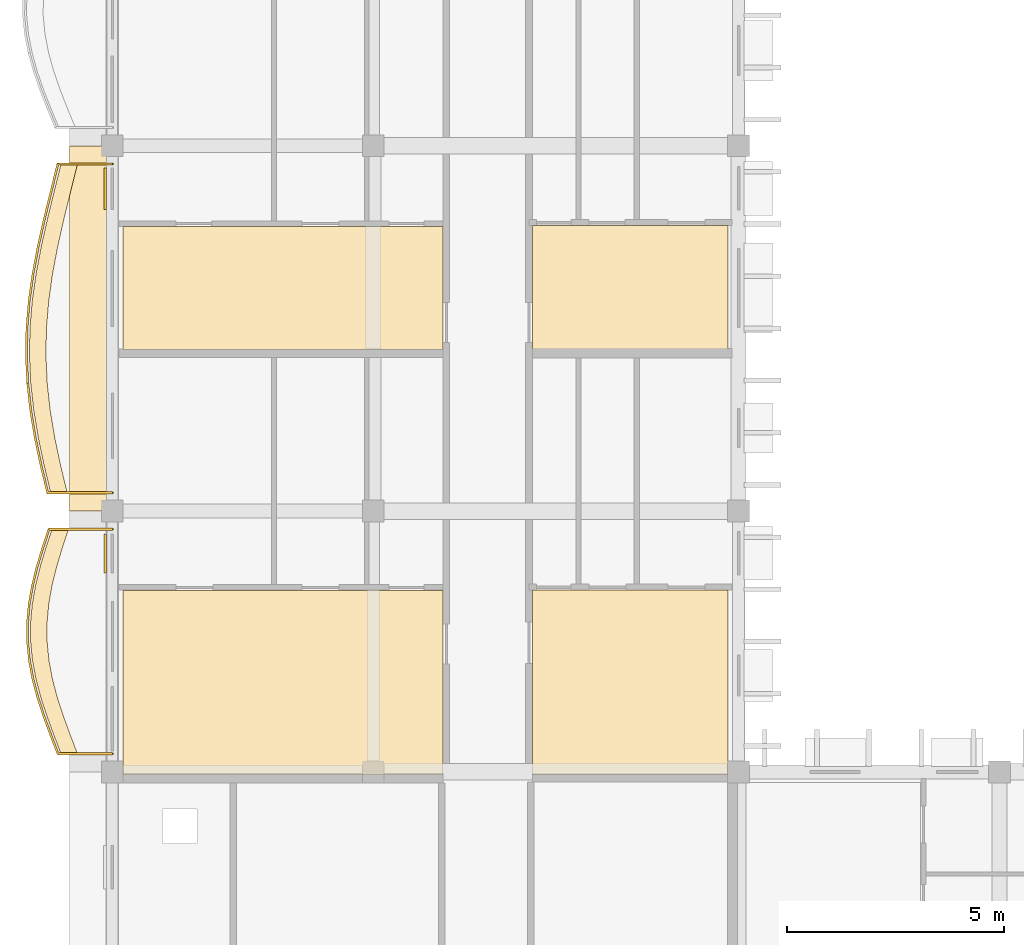
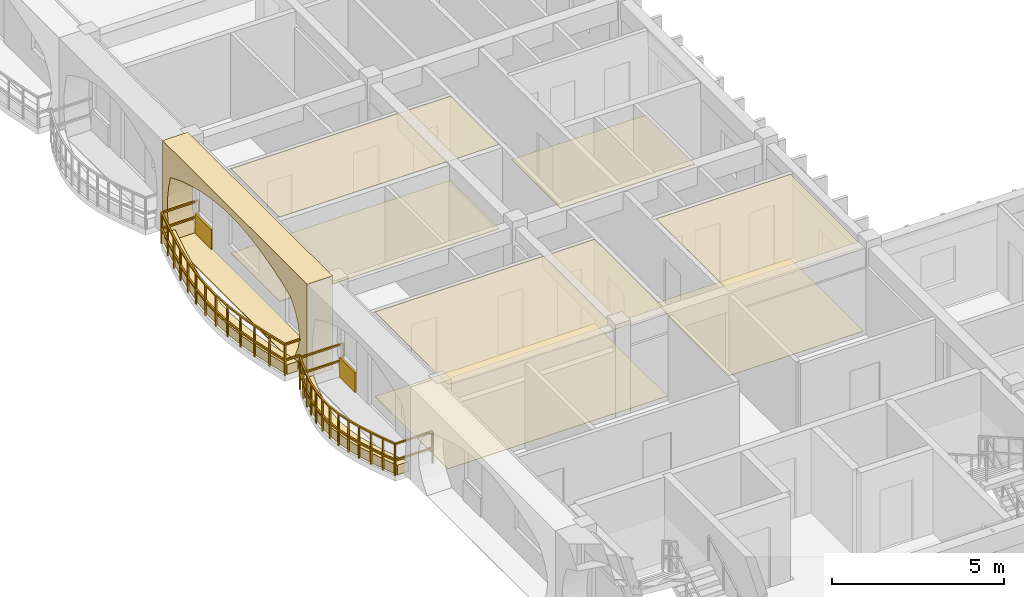
# One storey, part 41 of 66: 12 coverings, 2 railings.
"""IFC4 building model written with IfcOpenShell, lengths in metres."""

from ifc_helpers import new_model, si_unit, direction, frame, origin, origin_2d, place, context, subcontext, project, spatial, polyline, rectangle, outline, extrude, material, layer, layer_set, type_object, element, save


model = new_model("IFC4")

# Units and contexts
model_context = context("Model", 3, precision=1e-05, world=origin(), true_north=direction((0.0, 1.0)))
body_context = subcontext(model_context, "Body", "Model", "MODEL_VIEW")
ifc_project = project(units=[si_unit("LENGTHUNIT", "METRE"), si_unit("AREAUNIT", "SQUARE_METRE"), si_unit("VOLUMEUNIT", "CUBIC_METRE"), si_unit("PLANEANGLEUNIT", "RADIAN"), si_unit("MASSUNIT", "GRAM", prefix="KILO"), si_unit("THERMODYNAMICTEMPERATUREUNIT", "KELVIN")], contexts=[model_context])

# Site, building, storey
site_placement = place(None, origin())
site = spatial("IfcSite", under=ifc_project, at=site_placement, CompositionType="ELEMENT")
building_placement = place(site_placement, origin())
building = spatial("IfcBuilding", under=site, at=building_placement, Name="Thalorik Housing Commons", CompositionType="ELEMENT")
storey_placement = place(building_placement, frame((0.0, 0.0, 21.300048828125)))
storey = spatial("IfcBuildingStorey", under=building, at=storey_placement, Name="L06", CompositionType="ELEMENT", Elevation=21.300048828125)

# Coverings
ifc_material_1 = material(Name="Cobalt blue glazed ceramic facade tile panel", Category="masonry")
ifc_layer_1 = layer(ifc_material_1, 0.06005859375, Name="Cobalt blue glazed ceramic facade tile panel", Category="masonry")
ifc_layer_set_1 = layer_set([ifc_layer_1], Name="Cobalt blue glazed ceramic facade tile panel")
covering_type_1 = type_object("IfcCoveringType", Name="ARC-CLD-BLU-60", PredefinedType="CLADDING", material=ifc_layer_set_1)
covering_1_placement = place(storey_placement, frame((8.235107421875, 27.827392578125, 0.0498046875), z_axis=(0.0, 0.0, 1.0), x_axis=(0.0, -1.0, 0.0)))
element("IfcCovering", 1, at=covering_1_placement, inside=storey, type_object=covering_type_1, Name="L06 De Stijl Recessed Window Spandrel 4084", PredefinedType="CLADDING", context=body_context, shape_type="SweptSolid", body=[
    extrude(rectangle(XDim=0.89990234375, YDim=0.06005859375, at=origin_2d()), origin(), (0.0, 0.0, 1.0), 0.699951171875),
])
ifc_material_2 = material(Name="Precast concrete C40/50", Category="concrete")
ifc_layer_2 = layer(ifc_material_2, 0.85009765625, Name="Precast concrete C40/50", Category="concrete")
ifc_layer_set_2 = layer_set([ifc_layer_2], Name="Precast concrete C40/50")
covering_type_2 = type_object("IfcCoveringType", Name="ARC-CLD-CUSH-850", PredefinedType="CLADDING", material=ifc_layer_set_2)
covering_2_placement = place(storey_placement, frame((7.844970703125, 33.0, 0.0), z_axis=(0.0, 0.0, 1.0), x_axis=(0.0, -1.0, 0.0)))
element("IfcCovering", 2, at=covering_2_placement, inside=storey, type_object=covering_type_2, Name="L06 White Precast Curved Cushion Bay Frame 4081", PredefinedType="CLADDING", context=body_context, shape_type="SweptSolid", body=[
    extrude(outline(polyline([(-4.199951171875, 0.0), (4.199951171875, 0.0), (4.199951171875, 3.300048828125), (-4.199951171875, 3.300048828125), (-4.199951171875, 0.0)]), holes=[polyline([(3.239990234375, 0.02490234375), (3.523193359375, 0.399169921875), (3.693359375, 0.773193359375), (3.75, 1.1474609375), (3.693359375, 1.521728515625), (3.523193359375, 1.895751953125), (3.239990234375, 2.27001953125), (2.65869140625, 2.50439453125), (2.077392578125, 2.6884765625), (1.496337890625, 2.837646484375), (0.9150390625, 2.948486328125), (0.333740234375, 3.016845703125), (-0.24755859375, 3.0400390625), (-0.82861328125, 3.016845703125), (-1.409912109375, 2.948486328125), (-1.9912109375, 2.837646484375), (-2.572509765625, 2.6884765625), (-3.15380859375, 2.50439453125), (-3.735107421875, 2.27001953125), (-3.833251953125, 1.895751953125), (-3.89208984375, 1.521728515625), (-3.91162109375, 1.1474609375), (-3.89208984375, 0.773193359375), (-3.833251953125, 0.399169921875), (-3.735107421875, 0.02490234375), (3.239990234375, 0.02490234375)])]), frame((0.0, 0.425048828125, 0.0), z_axis=(0.0, -1.0, 0.0), x_axis=(1.0, 0.0, 0.0)), (0.0, 0.0, 1.0), 0.85009765625),
])
ifc_material_3 = material(Name="Terracotta red mineral fibre-cement panel", Category="masonry")
ifc_layer_3 = layer(ifc_material_3, 0.054931640625, Name="Terracotta red mineral fibre-cement panel", Category="masonry")
ifc_layer_set_3 = layer_set([ifc_layer_3], Name="Terracotta red mineral fibre-cement panel")
covering_type_3 = type_object("IfcCoveringType", Name="ARC-CLD-RED-55", PredefinedType="CLADDING", material=ifc_layer_set_3)
covering_3_placement = place(storey_placement, frame((8.237548828125, 36.2099609375, 0.0498046875), z_axis=(0.0, 0.0, 1.0), x_axis=(0.0, -1.0, 0.0)))
element("IfcCovering", 3, at=covering_3_placement, inside=storey, type_object=covering_type_3, Name="L06 De Stijl Recessed Window Spandrel 4082", PredefinedType="CLADDING", context=body_context, shape_type="SweptSolid", body=[
    extrude(rectangle(XDim=0.949951171875, YDim=0.054931640625, at=origin_2d()), origin(), (0.0, 0.0, 1.0), 0.699951171875),
])
ifc_material_4 = material(Name="Perforated acoustic gypsum ceiling board")
ifc_layer_4 = layer(ifc_material_4, 0.014892578125, Name="Perforated acoustic gypsum ceiling board")
ifc_layer_set_4 = layer_set([ifc_layer_4], Name="Perforated acoustic gypsum ceiling board")
covering_type_4 = type_object("IfcCoveringType", Name="ARC-COV-CEIL-01", PredefinedType="CEILING", material=ifc_layer_set_4)
covering_4_placement = place(storey_placement, frame((0.0, 0.0, 2.98486328125)))
element("IfcCovering", 4, at=covering_4_placement, inside=storey, type_object=covering_type_4, Name="L06 Living Dining Room Suspended Ceiling", PredefinedType="CEILING", context=body_context, shape_type="SweptSolid", body=[
    extrude(outline(polyline([(16.0, 26.97509765625), (8.639892578125, 26.97509765625), (8.639892578125, 22.739990234375), (16.0, 22.739990234375), (16.0, 26.97509765625)])), origin(), (0.0, 0.0, 1.0), 0.01513671875),
])
ifc_material_5 = material(Name="Mineral fibre acoustic ceiling tile")
ifc_layer_5 = layer(ifc_material_5, 0.01806640625, Name="Mineral fibre acoustic ceiling tile")
ifc_layer_set_5 = layer_set([ifc_layer_5], Name="Mineral fibre acoustic ceiling tile")
covering_type_5 = type_object("IfcCoveringType", Name="ARC-COV-CEIL-02", PredefinedType="CEILING", material=ifc_layer_set_5)
covering_5_placement = place(storey_placement, frame((0.0, 0.0, 2.98193359375)))
element("IfcCovering", 5, at=covering_5_placement, inside=storey, type_object=covering_type_5, Name="L06 Living Dining Room Suspended Ceiling", PredefinedType="CEILING", context=body_context, shape_type="SweptSolid", body=[
    extrude(outline(polyline([(22.56005859375, 26.9794921875), (18.06005859375, 26.9794921875), (18.06005859375, 22.739990234375), (22.56005859375, 22.739990234375), (22.56005859375, 26.9794921875)])), origin(), (0.0, 0.0, 1.0), 0.01806640625),
])
ifc_material_6 = material(Name="Slatted timber acoustic hall baffle ceiling", Category="wood")
ifc_layer_6 = layer(ifc_material_6, 0.02197265625, Name="Slatted timber acoustic hall baffle ceiling", Category="wood")
ifc_layer_set_6 = layer_set([ifc_layer_6], Name="Slatted timber acoustic hall baffle ceiling")
covering_type_6 = type_object("IfcCoveringType", Name="ARC-COV-CEIL-03", PredefinedType="CEILING", material=ifc_layer_set_6)
covering_6_placement = place(storey_placement, frame((0.0, 0.0, 2.97802734375)))
element("IfcCovering", 6, at=covering_6_placement, inside=storey, type_object=covering_type_6, Name="L06 Family Lounge Suspended Ceiling", PredefinedType="CEILING", context=body_context, shape_type="SweptSolid", body=[
    extrude(outline(polyline([(16.0, 35.340087890625), (8.639892578125, 35.340087890625), (8.639892578125, 32.510009765625), (16.0, 32.510009765625), (16.0, 35.340087890625)])), origin(), (0.0, 0.0, 1.0), 0.02197265625),
])
ifc_material_7 = material(Name="Glazed Recife ceramic apartment floor tile")
ifc_layer_7 = layer(ifc_material_7, 0.011962890625, Name="Glazed Recife ceramic apartment floor tile")
ifc_layer_set_7 = layer_set([ifc_layer_7], Name="Glazed Recife ceramic apartment floor tile")
covering_type_7 = type_object("IfcCoveringType", Name="ARC-COV-FLR-01", PredefinedType="FLOORING", material=ifc_layer_set_7)
covering_7_placement = place(storey_placement, origin())
element("IfcCovering", 7, at=covering_7_placement, inside=storey, type_object=covering_type_7, Name="L06 Living Dining Room Flooring", PredefinedType="FLOORING", context=body_context, shape_type="SweptSolid", body=[
    extrude(outline(polyline([(16.0, 26.97509765625), (8.639892578125, 26.97509765625), (8.639892578125, 22.739990234375), (16.0, 22.739990234375), (16.0, 26.97509765625)])), origin(), (0.0, 0.0, 1.0), 0.011962890625),
])
ifc_material_8 = material(Name="Slip-resistant quarry terracotta corridor tile", Category="masonry")
ifc_layer_8 = layer(ifc_material_8, 0.01611328125, Name="Slip-resistant quarry terracotta corridor tile", Category="masonry")
ifc_layer_set_8 = layer_set([ifc_layer_8], Name="Slip-resistant quarry terracotta corridor tile")
covering_type_8 = type_object("IfcCoveringType", Name="ARC-COV-FLR-02", PredefinedType="FLOORING", material=ifc_layer_set_8)
covering_8_placement = place(storey_placement, origin())
element("IfcCovering", 8, at=covering_8_placement, inside=storey, type_object=covering_type_8, Name="L06 Living Dining Room Flooring", PredefinedType="FLOORING", context=body_context, shape_type="SweptSolid", body=[
    extrude(outline(polyline([(22.56005859375, 26.9794921875), (18.06005859375, 26.9794921875), (18.06005859375, 22.739990234375), (22.56005859375, 22.739990234375), (22.56005859375, 26.9794921875)])), origin(), (0.0, 0.0, 1.0), 0.015869140625),
])
ifc_material_9 = material(Name="Cushioned natural linoleum nursery playroom flooring")
ifc_layer_9 = layer(ifc_material_9, 0.02001953125, Name="Cushioned natural linoleum nursery playroom flooring")
ifc_layer_set_9 = layer_set([ifc_layer_9], Name="Cushioned natural linoleum nursery playroom flooring")
covering_type_9 = type_object("IfcCoveringType", Name="ARC-COV-FLR-03", PredefinedType="FLOORING", material=ifc_layer_set_9)
covering_9_placement = place(storey_placement, origin())
element("IfcCovering", 9, at=covering_9_placement, inside=storey, type_object=covering_type_9, Name="L06 Family Lounge Flooring", PredefinedType="FLOORING", context=body_context, shape_type="SweptSolid", body=[
    extrude(outline(polyline([(16.0, 35.340087890625), (8.639892578125, 35.340087890625), (8.639892578125, 32.510009765625), (16.0, 32.510009765625), (16.0, 35.340087890625)])), origin(), (0.0, 0.0, 1.0), 0.02001953125),
])
ifc_material_10 = material(Name="Sprung Brazilian oak assembly hall timber floor", Category="wood")
ifc_layer_10 = layer(ifc_material_10, 0.02392578125, Name="Sprung Brazilian oak assembly hall timber floor", Category="wood")
ifc_layer_set_10 = layer_set([ifc_layer_10], Name="Sprung Brazilian oak assembly hall timber floor")
covering_type_10 = type_object("IfcCoveringType", Name="ARC-COV-FLR-04", PredefinedType="FLOORING", material=ifc_layer_set_10)
covering_10_placement = place(storey_placement, origin())
element("IfcCovering", 10, at=covering_10_placement, inside=storey, type_object=covering_type_10, Name="L06 Sunlit Wintergarden Lounge Flooring", PredefinedType="FLOORING", context=body_context, shape_type="SweptSolid", body=[
    extrude(outline(polyline([(22.56005859375, 35.36083984375), (18.06005859375, 35.36083984375), (18.06005859375, 32.510009765625), (22.56005859375, 32.510009765625), (22.56005859375, 35.36083984375)])), origin(), (0.0, 0.0, 1.0), 0.02392578125),
])
ifc_material_11 = material(Name="Planted vegetated substrate and terracotta trough", Category="masonry")
ifc_layer_11 = layer(ifc_material_11, 0.340087890625, Name="Planted vegetated substrate and terracotta trough", Category="masonry")
ifc_layer_set_11 = layer_set([ifc_layer_11], Name="Planted vegetated substrate and terracotta trough")
covering_type_11 = type_object("IfcCoveringType", Name="ARC-COV-PLANTER", PredefinedType="USERDEFINED", material=ifc_layer_set_11)
covering_11_placement = place(storey_placement, origin())
element("IfcCovering", 11, at=covering_11_placement, inside=storey, type_object=covering_type_11, Name="L06 Balcony Slab-Edge Planted Trough 5607", ObjectType="PLANTER", PredefinedType="USERDEFINED", context=body_context, shape_type="SweptSolid", body=[
    extrude(outline(polyline([(7.010498046875, 28.3798828125), (6.8681640625, 27.949951171875), (6.739013671875, 27.52001953125), (6.633056640625, 27.090087890625), (6.5576171875, 26.659912109375), (6.518798828125, 26.22998046875), (6.519775390625, 25.800048828125), (6.5615234375, 25.3701171875), (6.641845703125, 24.93994140625), (6.755615234375, 24.510009765625), (6.89599609375, 24.080078125), (7.053466796875, 23.64990234375), (7.218017578125, 23.219970703125), (7.597900390625, 23.219970703125), (7.43359375, 23.64990234375), (7.27587890625, 24.080078125), (7.135498046875, 24.510009765625), (7.021728515625, 24.93994140625), (6.941650390625, 25.3701171875), (6.89990234375, 25.800048828125), (6.898681640625, 26.22998046875), (6.9375, 26.659912109375), (7.012939453125, 27.090087890625), (7.119140625, 27.52001953125), (7.248046875, 27.949951171875), (7.390380859375, 28.3798828125), (7.010498046875, 28.3798828125)])), origin(), (0.0, 0.0, 1.0), 0.33984375),
])
covering_12_placement = place(storey_placement, origin())
element("IfcCovering", 12, at=covering_12_placement, inside=storey, type_object=covering_type_11, Name="L06 Balcony Slab-Edge Planted Trough 5608", ObjectType="PLANTER", PredefinedType="USERDEFINED", context=body_context, shape_type="SweptSolid", body=[
    extrude(outline(polyline([(7.21728515625, 36.780029296875), (7.061279296875, 36.14990234375), (6.9072265625, 35.52001953125), (6.765380859375, 34.889892578125), (6.64599609375, 34.260009765625), (6.556884765625, 33.6298828125), (6.50439453125, 33.0), (6.492919921875, 32.3701171875), (6.522705078125, 31.739990234375), (6.59228515625, 31.110107421875), (6.697021484375, 30.47998046875), (6.829833984375, 29.85009765625), (6.982177734375, 29.219970703125), (7.3623046875, 29.219970703125), (7.2099609375, 29.85009765625), (7.076904296875, 30.47998046875), (6.97216796875, 31.110107421875), (6.902587890625, 31.739990234375), (6.872802734375, 32.3701171875), (6.884521484375, 33.0), (6.936767578125, 33.6298828125), (7.02587890625, 34.260009765625), (7.1455078125, 34.889892578125), (7.287109375, 35.52001953125), (7.44140625, 36.14990234375), (7.597412109375, 36.780029296875), (7.21728515625, 36.780029296875)])), origin(), (0.0, 0.0, 1.0), 0.33984375),
])

# Railings
ifc_material_12 = material(Name="Steel S355", Category="steel")
railing_type_1 = type_object("IfcRailingType", Name="ARC-RL-BAL-112", PredefinedType="BALUSTRADE", material=ifc_material_12)
railing_1_placement = place(storey_placement, frame((8.39990234375, 36.780029296875, 0.0)))
element("IfcRailing", 13, at=railing_1_placement, inside=storey, type_object=railing_type_1, Name="L06 Cushion Balcony Guardrail 292", PredefinedType="BALUSTRADE", context=body_context, shape_type="SweptSolid", body=[
    extrude(rectangle(XDim=0.050048828125, YDim=0.050048828125, at=origin_2d()), frame((0.0, 0.0, 1.09521484375), z_axis=(-1.0, 0.0, 0.0), x_axis=(0.0, -1.0, 0.0)), (0.0, 0.0, 1.0), 1.25244140625),
    extrude(rectangle(XDim=0.050048828125, YDim=0.050048828125, at=origin_2d()), frame((0.0, 0.0, 0.53515625), z_axis=(-1.0, 0.0, 0.0), x_axis=(0.0, -1.0, 0.0)), (0.0, 0.0, 1.0), 1.25244140625),
    extrude(rectangle(XDim=0.050048828125, YDim=0.050048828125, at=origin_2d()), frame((-1.25244140625, 0.0, 1.09521484375), z_axis=(-0.240677012047, -0.970605262644, 0.0), x_axis=(0.970605262644, -0.240677012047, 0.0)), (0.0, 0.0, 1.0), 0.649169921875),
    extrude(rectangle(XDim=0.050048828125, YDim=0.050048828125, at=origin_2d()), frame((-1.25244140625, 0.0, 0.53515625), z_axis=(-0.240677012047, -0.970605262644, 0.0), x_axis=(0.970605262644, -0.240677012047, 0.0)), (0.0, 0.0, 1.0), 0.649169921875),
    extrude(rectangle(XDim=0.050048828125, YDim=0.050048828125, at=origin_2d()), frame((-1.40869140625, -0.630126953125, 1.09521484375), z_axis=(-0.23757151253, -0.971370051234, 0.0), x_axis=(0.971370051234, -0.23757151253, 0.0)), (0.0, 0.0, 1.0), 0.6484375),
    extrude(rectangle(XDim=0.050048828125, YDim=0.050048828125, at=origin_2d()), frame((-1.40869140625, -0.630126953125, 0.53515625), z_axis=(-0.23757151253, -0.971370051234, 0.0), x_axis=(0.971370051234, -0.23757151253, 0.0)), (0.0, 0.0, 1.0), 0.6484375),
    extrude(rectangle(XDim=0.050048828125, YDim=0.050048828125, at=origin_2d()), frame((-1.562744140625, -1.260009765625, 1.09521484375), z_axis=(-0.219611132006, -0.975587490028, 0.0), x_axis=(0.975587490028, -0.219611132006, 0.0)), (0.0, 0.0, 1.0), 0.64599609375),
    extrude(rectangle(XDim=0.050048828125, YDim=0.050048828125, at=origin_2d()), frame((-1.562744140625, -1.260009765625, 0.53515625), z_axis=(-0.219611132006, -0.975587490028, 0.0), x_axis=(0.975587490028, -0.219611132006, 0.0)), (0.0, 0.0, 1.0), 0.64599609375),
    extrude(rectangle(XDim=0.050048828125, YDim=0.050048828125, at=origin_2d()), frame((-1.70458984375, -1.89013671875, 1.09521484375), z_axis=(-0.186219568681, -0.982508153778, 0.0), x_axis=(0.982508153778, -0.186219568681, 0.0)), (0.0, 0.0, 1.0), 0.64111328125),
    extrude(rectangle(XDim=0.050048828125, YDim=0.050048828125, at=origin_2d()), frame((-1.70458984375, -1.89013671875, 0.53515625), z_axis=(-0.186219568681, -0.982508153778, 0.0), x_axis=(0.982508153778, -0.186219568681, 0.0)), (0.0, 0.0, 1.0), 0.64111328125),
    extrude(rectangle(XDim=0.050048828125, YDim=0.050048828125, at=origin_2d()), frame((-1.823974609375, -2.52001953125, 1.09521484375), z_axis=(-0.140024803798, -0.990147996171, 0.0), x_axis=(0.990147996171, -0.140024803798, 0.0)), (0.0, 0.0, 1.0), 0.636474609375),
    extrude(rectangle(XDim=0.050048828125, YDim=0.050048828125, at=origin_2d()), frame((-1.823974609375, -2.52001953125, 0.53515625), z_axis=(-0.140024803798, -0.990147996171, 0.0), x_axis=(0.990147996171, -0.140024803798, 0.0)), (0.0, 0.0, 1.0), 0.636474609375),
    extrude(rectangle(XDim=0.050048828125, YDim=0.050048828125, at=origin_2d()), frame((-1.9130859375, -3.150146484375, 1.09521484375), z_axis=(-0.082661867227, -0.996577651619, 0.0), x_axis=(0.996577651619, -0.082661867227, 0.0)), (0.0, 0.0, 1.0), 0.632080078125),
    extrude(rectangle(XDim=0.050048828125, YDim=0.050048828125, at=origin_2d()), frame((-1.9130859375, -3.150146484375, 0.53515625), z_axis=(-0.082661867227, -0.996577651619, 0.0), x_axis=(0.996577651619, -0.082661867227, 0.0)), (0.0, 0.0, 1.0), 0.632080078125),
    extrude(rectangle(XDim=0.050048828125, YDim=0.050048828125, at=origin_2d()), frame((-1.96533203125, -3.780029296875, 1.09521484375), z_axis=(-0.018601432156, -0.999826978393, 0.0), x_axis=(0.999826978393, -0.018601432156, 0.0)), (0.0, 0.0, 1.0), 0.6298828125),
    extrude(rectangle(XDim=0.050048828125, YDim=0.050048828125, at=origin_2d()), frame((-1.96533203125, -3.780029296875, 0.53515625), z_axis=(-0.018601432156, -0.999826978393, 0.0), x_axis=(0.999826978393, -0.018601432156, 0.0)), (0.0, 0.0, 1.0), 0.6298828125),
    extrude(rectangle(XDim=0.050048828125, YDim=0.050048828125, at=origin_2d()), frame((-1.97705078125, -4.409912109375, 1.09521484375), z_axis=(0.047215782637, -0.998884713002, 0.0), x_axis=(0.998884713002, 0.047215782637, 0.0)), (0.0, 0.0, 1.0), 0.630859375),
    extrude(rectangle(XDim=0.050048828125, YDim=0.050048828125, at=origin_2d()), frame((-1.97705078125, -4.409912109375, 0.53515625), z_axis=(0.047215782637, -0.998884713002, 0.0), x_axis=(0.998884713002, 0.047215782637, 0.0)), (0.0, 0.0, 1.0), 0.630859375),
    extrude(rectangle(XDim=0.050048828125, YDim=0.050048828125, at=origin_2d()), frame((-1.947265625, -5.0400390625, 1.09521484375), z_axis=(0.109797244793, -0.993954005493, 0.0), x_axis=(0.993954005493, 0.109797244793, 0.0)), (0.0, 0.0, 1.0), 0.6337890625),
    extrude(rectangle(XDim=0.050048828125, YDim=0.050048828125, at=origin_2d()), frame((-1.947265625, -5.0400390625, 0.53515625), z_axis=(0.109797244793, -0.993954005493, 0.0), x_axis=(0.993954005493, 0.109797244793, 0.0)), (0.0, 0.0, 1.0), 0.6337890625),
    extrude(rectangle(XDim=0.050048828125, YDim=0.050048828125, at=origin_2d()), frame((-1.877685546875, -5.669921875, 1.09521484375), z_axis=(0.163965119264, -0.98646613711, 0.0), x_axis=(0.98646613711, 0.163965119264, 0.0)), (0.0, 0.0, 1.0), 0.638671875),
    extrude(rectangle(XDim=0.050048828125, YDim=0.050048828125, at=origin_2d()), frame((-1.877685546875, -5.669921875, 0.53515625), z_axis=(0.163965119264, -0.98646613711, 0.0), x_axis=(0.98646613711, 0.163965119264, 0.0)), (0.0, 0.0, 1.0), 0.638671875),
    extrude(rectangle(XDim=0.050048828125, YDim=0.050048828125, at=origin_2d()), frame((-1.77294921875, -6.300048828125, 1.09521484375), z_axis=(0.206679363276, -0.978408728904, 0.0), x_axis=(0.978408728904, 0.206679363276, 0.0)), (0.0, 0.0, 1.0), 0.643798828125),
    extrude(rectangle(XDim=0.050048828125, YDim=0.050048828125, at=origin_2d()), frame((-1.77294921875, -6.300048828125, 0.53515625), z_axis=(0.206679363276, -0.978408728904, 0.0), x_axis=(0.978408728904, 0.206679363276, 0.0)), (0.0, 0.0, 1.0), 0.643798828125),
    extrude(rectangle(XDim=0.050048828125, YDim=0.050048828125, at=origin_2d()), frame((-1.639892578125, -6.929931640625, 1.09521484375), z_axis=(0.234640533104, -0.972082208573, 0.0), x_axis=(0.972082208573, 0.234640533104, 0.0)), (0.0, 0.0, 1.0), 0.648193359375),
    extrude(rectangle(XDim=0.050048828125, YDim=0.050048828125, at=origin_2d()), frame((-1.639892578125, -6.929931640625, 0.53515625), z_axis=(0.234640533104, -0.972082208573, 0.0), x_axis=(0.972082208573, 0.234640533104, 0.0)), (0.0, 0.0, 1.0), 0.648193359375),
    extrude(rectangle(XDim=0.050048828125, YDim=0.050048828125, at=origin_2d()), frame((-1.48779296875, -7.56005859375, 1.09521484375), z_axis=(1.0, 0.0, 0.0), x_axis=(0.0, 1.0, 0.0)), (0.0, 0.0, 1.0), 1.48779296875),
    extrude(rectangle(XDim=0.050048828125, YDim=0.050048828125, at=origin_2d()), frame((-1.48779296875, -7.56005859375, 0.53515625), z_axis=(1.0, 0.0, 0.0), x_axis=(0.0, 1.0, 0.0)), (0.0, 0.0, 1.0), 1.48779296875),
    extrude(rectangle(XDim=0.0419921875, YDim=0.0419921875, at=origin_2d()), origin(), (0.0, 0.0, 1.0), 1.070068359375),
    extrude(rectangle(XDim=0.0419921875, YDim=0.0419921875, at=origin_2d()), frame((-1.25244140625, 0.0, 0.0)), (0.0, 0.0, 1.0), 1.070068359375),
    extrude(rectangle(XDim=0.0419921875, YDim=0.0419921875, at=origin_2d()), frame((-1.40869140625, -0.630126953125, 0.0)), (0.0, 0.0, 1.0), 1.070068359375),
    extrude(rectangle(XDim=0.0419921875, YDim=0.0419921875, at=origin_2d()), frame((-1.562744140625, -1.260009765625, 0.0)), (0.0, 0.0, 1.0), 1.070068359375),
    extrude(rectangle(XDim=0.0419921875, YDim=0.0419921875, at=origin_2d()), frame((-1.70458984375, -1.89013671875, 0.0)), (0.0, 0.0, 1.0), 1.070068359375),
    extrude(rectangle(XDim=0.0419921875, YDim=0.0419921875, at=origin_2d()), frame((-1.823974609375, -2.52001953125, 0.0)), (0.0, 0.0, 1.0), 1.070068359375),
    extrude(rectangle(XDim=0.0419921875, YDim=0.0419921875, at=origin_2d()), frame((-1.9130859375, -3.150146484375, 0.0)), (0.0, 0.0, 1.0), 1.070068359375),
    extrude(rectangle(XDim=0.0419921875, YDim=0.0419921875, at=origin_2d()), frame((-1.96533203125, -3.780029296875, 0.0)), (0.0, 0.0, 1.0), 1.070068359375),
    extrude(rectangle(XDim=0.0419921875, YDim=0.0419921875, at=origin_2d()), frame((-1.97705078125, -4.409912109375, 0.0)), (0.0, 0.0, 1.0), 1.070068359375),
    extrude(rectangle(XDim=0.0419921875, YDim=0.0419921875, at=origin_2d()), frame((-1.947265625, -5.0400390625, 0.0)), (0.0, 0.0, 1.0), 1.070068359375),
    extrude(rectangle(XDim=0.0419921875, YDim=0.0419921875, at=origin_2d()), frame((-1.877685546875, -5.669921875, 0.0)), (0.0, 0.0, 1.0), 1.070068359375),
    extrude(rectangle(XDim=0.0419921875, YDim=0.0419921875, at=origin_2d()), frame((-1.77294921875, -6.300048828125, 0.0)), (0.0, 0.0, 1.0), 1.070068359375),
    extrude(rectangle(XDim=0.0419921875, YDim=0.0419921875, at=origin_2d()), frame((-1.639892578125, -6.929931640625, 0.0)), (0.0, 0.0, 1.0), 1.070068359375),
    extrude(rectangle(XDim=0.0419921875, YDim=0.0419921875, at=origin_2d()), frame((-1.48779296875, -7.56005859375, 0.0)), (0.0, 0.0, 1.0), 1.070068359375),
    extrude(rectangle(XDim=0.0419921875, YDim=0.0419921875, at=origin_2d()), frame((0.0, -7.56005859375, 0.0)), (0.0, 0.0, 1.0), 1.070068359375),
])
railing_type_2 = type_object("IfcRailingType", Name="ARC-RL-BAL-115", PredefinedType="BALUSTRADE", material=ifc_material_12)
railing_2_placement = place(storey_placement, frame((8.39990234375, 28.3798828125, 0.0)))
element("IfcRailing", 14, at=railing_2_placement, inside=storey, type_object=railing_type_2, Name="L06 Cushion Balcony Guardrail 291", PredefinedType="BALUSTRADE", context=body_context, shape_type="SweptSolid", body=[
    extrude(rectangle(XDim=0.050048828125, YDim=0.050048828125, at=origin_2d()), frame((0.0, 0.0, 1.125), z_axis=(-1.0, 0.0, 0.0), x_axis=(0.0, -1.0, 0.0)), (0.0, 0.0, 1.0), 1.45947265625),
    extrude(rectangle(XDim=0.050048828125, YDim=0.050048828125, at=origin_2d()), frame((0.0, 0.0, 0.5498046875), z_axis=(-1.0, 0.0, 0.0), x_axis=(0.0, -1.0, 0.0)), (0.0, 0.0, 1.0), 1.45947265625),
    extrude(rectangle(XDim=0.050048828125, YDim=0.050048828125, at=origin_2d()), frame((-1.45947265625, 0.0, 1.125), z_axis=(-0.3142863993, -0.949328214695, 0.0), x_axis=(0.949328214695, -0.3142863993, 0.0)), (0.0, 0.0, 1.0), 0.452880859375),
    extrude(rectangle(XDim=0.050048828125, YDim=0.050048828125, at=origin_2d()), frame((-1.45947265625, 0.0, 0.5498046875), z_axis=(-0.3142863993, -0.949328214695, 0.0), x_axis=(0.949328214695, -0.3142863993, 0.0)), (0.0, 0.0, 1.0), 0.452880859375),
    extrude(rectangle(XDim=0.050048828125, YDim=0.050048828125, at=origin_2d()), frame((-1.601806640625, -0.429931640625, 1.125), z_axis=(-0.287198174918, -0.957871185663, 0.0), x_axis=(0.957871185663, -0.287198174918, 0.0)), (0.0, 0.0, 1.0), 0.44873046875),
    extrude(rectangle(XDim=0.050048828125, YDim=0.050048828125, at=origin_2d()), frame((-1.601806640625, -0.429931640625, 0.5498046875), z_axis=(-0.287198174918, -0.957871185663, 0.0), x_axis=(0.957871185663, -0.287198174918, 0.0)), (0.0, 0.0, 1.0), 0.44873046875),
    extrude(rectangle(XDim=0.050048828125, YDim=0.050048828125, at=origin_2d()), frame((-1.730712890625, -0.85986328125, 1.125), z_axis=(-0.23981065342, -0.970819679707, 0.0), x_axis=(0.970819679707, -0.23981065342, 0.0)), (0.0, 0.0, 1.0), 0.44287109375),
    extrude(rectangle(XDim=0.050048828125, YDim=0.050048828125, at=origin_2d()), frame((-1.730712890625, -0.85986328125, 0.5498046875), z_axis=(-0.23981065342, -0.970819679707, 0.0), x_axis=(0.970819679707, -0.23981065342, 0.0)), (0.0, 0.0, 1.0), 0.44287109375),
    extrude(rectangle(XDim=0.050048828125, YDim=0.050048828125, at=origin_2d()), frame((-1.8369140625, -1.289794921875, 1.125), z_axis=(-0.172732877606, -0.984968706606, 0.0), x_axis=(0.984968706606, -0.172732877606, 0.0)), (0.0, 0.0, 1.0), 0.436767578125),
    extrude(rectangle(XDim=0.050048828125, YDim=0.050048828125, at=origin_2d()), frame((-1.8369140625, -1.289794921875, 0.5498046875), z_axis=(-0.172732877606, -0.984968706606, 0.0), x_axis=(0.984968706606, -0.172732877606, 0.0)), (0.0, 0.0, 1.0), 0.436767578125),
    extrude(rectangle(XDim=0.050048828125, YDim=0.050048828125, at=origin_2d()), frame((-1.912353515625, -1.719970703125, 1.125), z_axis=(-0.089923813119, -0.995948647187, 0.0), x_axis=(0.995948647187, -0.089923813119, 0.0)), (0.0, 0.0, 1.0), 0.431640625),
    extrude(rectangle(XDim=0.050048828125, YDim=0.050048828125, at=origin_2d()), frame((-1.912353515625, -1.719970703125, 0.5498046875), z_axis=(-0.089923813119, -0.995948647187, 0.0), x_axis=(0.995948647187, -0.089923813119, 0.0)), (0.0, 0.0, 1.0), 0.431640625),
    extrude(rectangle(XDim=0.050048828125, YDim=0.050048828125, at=origin_2d()), frame((-1.951171875, -2.14990234375, 1.125), z_axis=(0.002271430824, -0.999997420298, 0.0), x_axis=(0.999997420298, 0.002271430824, 0.0)), (0.0, 0.0, 1.0), 0.429931640625),
    extrude(rectangle(XDim=0.050048828125, YDim=0.050048828125, at=origin_2d()), frame((-1.951171875, -2.14990234375, 0.5498046875), z_axis=(0.002271430824, -0.999997420298, 0.0), x_axis=(0.999997420298, 0.002271430824, 0.0)), (0.0, 0.0, 1.0), 0.429931640625),
    extrude(rectangle(XDim=0.050048828125, YDim=0.050048828125, at=origin_2d()), frame((-1.9501953125, -2.579833984375, 1.125), z_axis=(0.097209200993, -0.995263970634, 0.0), x_axis=(0.995263970634, 0.097209200993, 0.0)), (0.0, 0.0, 1.0), 0.431884765625),
    extrude(rectangle(XDim=0.050048828125, YDim=0.050048828125, at=origin_2d()), frame((-1.9501953125, -2.579833984375, 0.5498046875), z_axis=(0.097209200993, -0.995263970634, 0.0), x_axis=(0.995263970634, 0.097209200993, 0.0)), (0.0, 0.0, 1.0), 0.431884765625),
    extrude(rectangle(XDim=0.050048828125, YDim=0.050048828125, at=origin_2d()), frame((-1.908203125, -3.009765625, 1.125), z_axis=(0.18300824742, -0.98311137791, 0.0), x_axis=(0.98311137791, 0.18300824742, 0.0)), (0.0, 0.0, 1.0), 0.4375),
    extrude(rectangle(XDim=0.050048828125, YDim=0.050048828125, at=origin_2d()), frame((-1.908203125, -3.009765625, 0.5498046875), z_axis=(0.18300824742, -0.98311137791, 0.0), x_axis=(0.98311137791, 0.18300824742, 0.0)), (0.0, 0.0, 1.0), 0.4375),
    extrude(rectangle(XDim=0.050048828125, YDim=0.050048828125, at=origin_2d()), frame((-1.828125, -3.43994140625, 1.125), z_axis=(0.25581711585, -0.966725195305, 0.0), x_axis=(0.966725195305, 0.25581711585, 0.0)), (0.0, 0.0, 1.0), 0.44482421875),
    extrude(rectangle(XDim=0.050048828125, YDim=0.050048828125, at=origin_2d()), frame((-1.828125, -3.43994140625, 0.5498046875), z_axis=(0.25581711585, -0.966725195305, 0.0), x_axis=(0.966725195305, 0.25581711585, 0.0)), (0.0, 0.0, 1.0), 0.44482421875),
    extrude(rectangle(XDim=0.050048828125, YDim=0.050048828125, at=origin_2d()), frame((-1.71435546875, -3.869873046875, 1.125), z_axis=(0.310391826564, -0.950608707094, 0.0), x_axis=(0.950608707094, 0.310391826564, 0.0)), (0.0, 0.0, 1.0), 0.4521484375),
    extrude(rectangle(XDim=0.050048828125, YDim=0.050048828125, at=origin_2d()), frame((-1.71435546875, -3.869873046875, 0.5498046875), z_axis=(0.310391826564, -0.950608707094, 0.0), x_axis=(0.950608707094, 0.310391826564, 0.0)), (0.0, 0.0, 1.0), 0.4521484375),
    extrude(rectangle(XDim=0.050048828125, YDim=0.050048828125, at=origin_2d()), frame((-1.573974609375, -4.2998046875, 1.125), z_axis=(0.343753490328, -0.939059922416, 0.0), x_axis=(0.939059922416, 0.343753490328, 0.0)), (0.0, 0.0, 1.0), 0.4580078125),
    extrude(rectangle(XDim=0.050048828125, YDim=0.050048828125, at=origin_2d()), frame((-1.573974609375, -4.2998046875, 0.5498046875), z_axis=(0.343753490328, -0.939059922416, 0.0), x_axis=(0.939059922416, 0.343753490328, 0.0)), (0.0, 0.0, 1.0), 0.4580078125),
    extrude(rectangle(XDim=0.050048828125, YDim=0.050048828125, at=origin_2d()), frame((-1.41650390625, -4.72998046875, 1.125), z_axis=(0.357450448007, -0.933932105252, 0.0), x_axis=(0.933932105252, 0.357450448007, 0.0)), (0.0, 0.0, 1.0), 0.46044921875),
    extrude(rectangle(XDim=0.050048828125, YDim=0.050048828125, at=origin_2d()), frame((-1.41650390625, -4.72998046875, 0.5498046875), z_axis=(0.357450448007, -0.933932105252, 0.0), x_axis=(0.933932105252, 0.357450448007, 0.0)), (0.0, 0.0, 1.0), 0.46044921875),
    extrude(rectangle(XDim=0.050048828125, YDim=0.050048828125, at=origin_2d()), frame((-1.251953125, -5.159912109375, 1.125), z_axis=(1.0, 0.0, 0.0), x_axis=(0.0, 1.0, 0.0)), (0.0, 0.0, 1.0), 1.251953125),
    extrude(rectangle(XDim=0.050048828125, YDim=0.050048828125, at=origin_2d()), frame((-1.251953125, -5.159912109375, 0.5498046875), z_axis=(1.0, 0.0, 0.0), x_axis=(0.0, 1.0, 0.0)), (0.0, 0.0, 1.0), 1.251953125),
    extrude(rectangle(XDim=0.0419921875, YDim=0.0419921875, at=origin_2d()), origin(), (0.0, 0.0, 1.0), 1.099853515625),
    extrude(rectangle(XDim=0.0419921875, YDim=0.0419921875, at=origin_2d()), frame((-1.45947265625, 0.0, 0.0)), (0.0, 0.0, 1.0), 1.099853515625),
    extrude(rectangle(XDim=0.0419921875, YDim=0.0419921875, at=origin_2d()), frame((-1.601806640625, -0.429931640625, 0.0)), (0.0, 0.0, 1.0), 1.099853515625),
    extrude(rectangle(XDim=0.0419921875, YDim=0.0419921875, at=origin_2d()), frame((-1.730712890625, -0.85986328125, 0.0)), (0.0, 0.0, 1.0), 1.099853515625),
    extrude(rectangle(XDim=0.0419921875, YDim=0.0419921875, at=origin_2d()), frame((-1.8369140625, -1.289794921875, 0.0)), (0.0, 0.0, 1.0), 1.099853515625),
    extrude(rectangle(XDim=0.0419921875, YDim=0.0419921875, at=origin_2d()), frame((-1.912353515625, -1.719970703125, 0.0)), (0.0, 0.0, 1.0), 1.099853515625),
    extrude(rectangle(XDim=0.0419921875, YDim=0.0419921875, at=origin_2d()), frame((-1.951171875, -2.14990234375, 0.0)), (0.0, 0.0, 1.0), 1.099853515625),
    extrude(rectangle(XDim=0.0419921875, YDim=0.0419921875, at=origin_2d()), frame((-1.9501953125, -2.579833984375, 0.0)), (0.0, 0.0, 1.0), 1.099853515625),
    extrude(rectangle(XDim=0.0419921875, YDim=0.0419921875, at=origin_2d()), frame((-1.908203125, -3.009765625, 0.0)), (0.0, 0.0, 1.0), 1.099853515625),
    extrude(rectangle(XDim=0.0419921875, YDim=0.0419921875, at=origin_2d()), frame((-1.828125, -3.43994140625, 0.0)), (0.0, 0.0, 1.0), 1.099853515625),
    extrude(rectangle(XDim=0.0419921875, YDim=0.0419921875, at=origin_2d()), frame((-1.71435546875, -3.869873046875, 0.0)), (0.0, 0.0, 1.0), 1.099853515625),
    extrude(rectangle(XDim=0.0419921875, YDim=0.0419921875, at=origin_2d()), frame((-1.573974609375, -4.2998046875, 0.0)), (0.0, 0.0, 1.0), 1.099853515625),
    extrude(rectangle(XDim=0.0419921875, YDim=0.0419921875, at=origin_2d()), frame((-1.41650390625, -4.72998046875, 0.0)), (0.0, 0.0, 1.0), 1.099853515625),
    extrude(rectangle(XDim=0.0419921875, YDim=0.0419921875, at=origin_2d()), frame((-1.251953125, -5.159912109375, 0.0)), (0.0, 0.0, 1.0), 1.099853515625),
    extrude(rectangle(XDim=0.0419921875, YDim=0.0419921875, at=origin_2d()), frame((0.0, -5.159912109375, 0.0)), (0.0, 0.0, 1.0), 1.099853515625),
])

save(model, "model.ifc")
